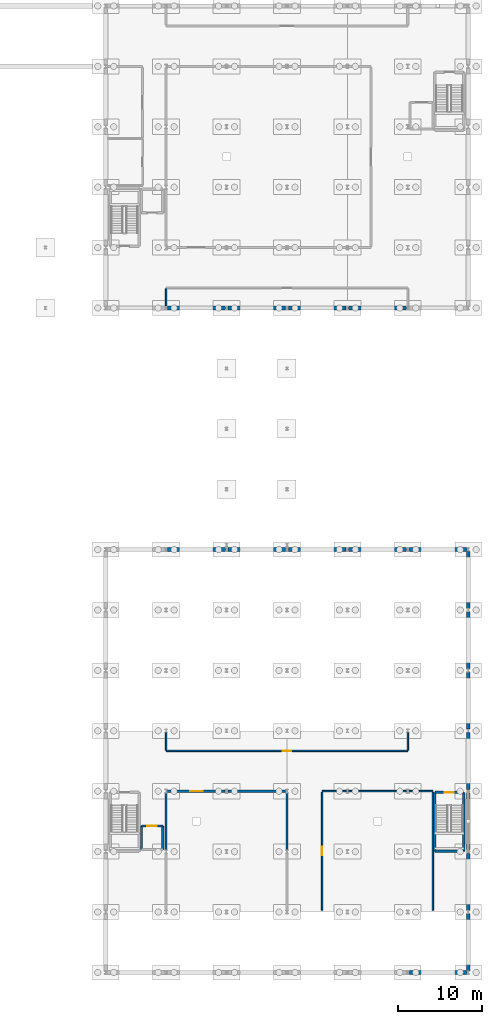
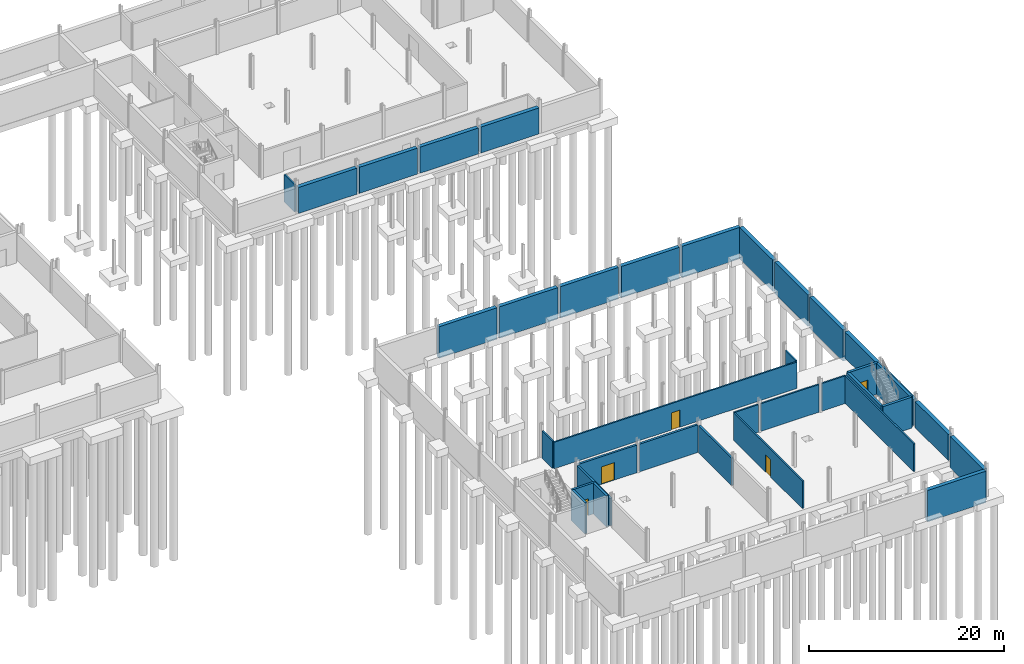
# One storey, part 41 of 50: 37 walls, 5 doors, 5 openings.
"""IFC4 building model written with IfcOpenShell, lengths in metres."""

from ifc_helpers import new_model, si_unit, direction, frame, frame_2d, origin, place, context, subcontext, project, spatial, rectangle, extrude, material, layer, layer_set, type_object, element, fill, save


model = new_model("IFC4")

# Units and contexts
model_context = context("Model", 3, precision=1e-05, world=origin(), true_north=direction((0.0, 1.0)))
body_context = subcontext(model_context, "Body", "Model", "MODEL_VIEW")
ifc_project = project(units=[si_unit("LENGTHUNIT", "METRE"), si_unit("AREAUNIT", "SQUARE_METRE"), si_unit("VOLUMEUNIT", "CUBIC_METRE"), si_unit("PLANEANGLEUNIT", "RADIAN"), si_unit("MASSUNIT", "GRAM", prefix="KILO")], contexts=[model_context])

# Site, building, storey
site_placement = place(None, origin())
site = spatial("IfcSite", under=ifc_project, at=site_placement, CompositionType="ELEMENT")
building_placement = place(site_placement, origin())
building = spatial("IfcBuilding", under=site, at=building_placement, Name="Narikvali Park Central Library", CompositionType="ELEMENT")
storey_placement = place(building_placement, frame((0.0, 0.0, -4.199951171875)))
storey = spatial("IfcBuildingStorey", under=building, at=storey_placement, Name="B1", CompositionType="ELEMENT", Elevation=-4.199951171875)

# Walls
ifc_material_1 = material(Name="Concrete C35/45", Category="concrete")
ifc_layer_1 = layer(ifc_material_1, 0.449951171875, Name="Concrete C35/45")
ifc_layer_set_1 = layer_set([ifc_layer_1], Name="Concrete C35/45")
wall_type_1 = type_object("IfcWallType", Name="Basement Perimeter Retaining Wall 450", PredefinedType="USERDEFINED", material=ifc_layer_set_1)
wall_1_placement = place(storey_placement, frame((129.75390625, 79.199951171875, 0.0), z_axis=(0.0, 0.0, 1.0), x_axis=(1.0, 0.0, 0.0)))
element("IfcWall", 1, at=wall_1_placement, inside=storey, type_object=wall_type_1, Name="V3 B1 Retaining Wall S", ObjectType="RETAINING WALL", PredefinedType="USERDEFINED", context=body_context, shape_type="SweptSolid", body=[
    extrude(rectangle(XDim=6.89208984375, YDim=0.449951171875, at=frame_2d((3.446044921875, 0.0))), origin(), (0.0, 0.0, 1.0), 3.260009765625),
])
for number, where, z_axis, x_axis, name in (
    (2, (136.9541015625, 79.199951171875, 0.0), (0.0, 0.0, 1.0), (1.0, 0.0, 0.0), "V3 B1 Retaining Wall S"),
    (3, (144.154052734375, 79.199951171875, 0.0), (0.0, 0.0, 1.0), (1.0, 0.0, 0.0), "V3 B1 Retaining Wall S"),
):
    element("IfcWall", number, at=place(storey_placement, frame(where, z_axis=z_axis, x_axis=x_axis)), inside=storey, type_object=wall_type_1, Name=name, ObjectType="RETAINING WALL", PredefinedType="USERDEFINED", context=body_context, shape_type="SweptSolid", body=[
        extrude(rectangle(XDim=6.891845703125, YDim=0.449951171875, at=frame_2d((3.44580078125, 0.0))), origin(), (0.0, 0.0, 1.0), 3.260009765625),
    ])
wall_2_placement = place(storey_placement, frame((151.35400390625, 79.199951171875, 0.0), z_axis=(0.0, 0.0, 1.0), x_axis=(1.0, 0.0, 0.0)))
element("IfcWall", 4, at=wall_2_placement, inside=storey, type_object=wall_type_1, Name="V3 B1 Retaining Wall S", ObjectType="RETAINING WALL", PredefinedType="USERDEFINED", context=body_context, shape_type="SweptSolid", body=[
    extrude(rectangle(XDim=6.89208984375, YDim=0.449951171875, at=frame_2d((3.446044921875, 0.0))), origin(), (0.0, 0.0, 1.0), 3.260009765625),
])
wall_3_placement = place(storey_placement, frame((129.75390625, 50.39990234375, -0.679931640625), z_axis=(0.0, 0.0, 1.0), x_axis=(1.0, 0.0, 0.0)))
element("IfcWall", 5, at=wall_3_placement, inside=storey, type_object=wall_type_1, Name="V6 B1 Retaining Wall N", ObjectType="RETAINING WALL", PredefinedType="USERDEFINED", context=body_context, shape_type="SweptSolid", body=[
    extrude(rectangle(XDim=6.89208984375, YDim=0.449951171875, at=frame_2d((3.446044921875, 0.0))), origin(), (0.0, 0.0, 1.0), 3.93994140625),
])
for number, where, z_axis, x_axis, name in (
    (6, (136.9541015625, 50.39990234375, -0.679931640625), (0.0, 0.0, 1.0), (1.0, 0.0, 0.0), "V6 B1 Retaining Wall N"),
    (7, (144.154052734375, 50.39990234375, -0.679931640625), (0.0, 0.0, 1.0), (1.0, 0.0, 0.0), "V6 B1 Retaining Wall N"),
):
    element("IfcWall", number, at=place(storey_placement, frame(where, z_axis=z_axis, x_axis=x_axis)), inside=storey, type_object=wall_type_1, Name=name, ObjectType="RETAINING WALL", PredefinedType="USERDEFINED", context=body_context, shape_type="SweptSolid", body=[
        extrude(rectangle(XDim=6.891845703125, YDim=0.449951171875, at=frame_2d((3.44580078125, 0.0))), origin(), (0.0, 0.0, 1.0), 3.93994140625),
    ])
for number, where, z_axis, x_axis, name in (
    (8, (151.35400390625, 50.39990234375, -0.679931640625), (0.0, 0.0, 1.0), (1.0, 0.0, 0.0), "V6 B1 Retaining Wall N"),
    (9, (158.553955078125, 0.0, -0.679931640625), (0.0, 0.0, 1.0), (1.0, 0.0, 0.0), "V6 B1 Retaining Wall S"),
    (10, (158.553955078125, 50.39990234375, -0.679931640625), (0.0, 0.0, 1.0), (1.0, 0.0, 0.0), "V6 B1 Retaining Wall N"),
):
    element("IfcWall", number, at=place(storey_placement, frame(where, z_axis=z_axis, x_axis=x_axis)), inside=storey, type_object=wall_type_1, Name=name, ObjectType="RETAINING WALL", PredefinedType="USERDEFINED", context=body_context, shape_type="SweptSolid", body=[
        extrude(rectangle(XDim=6.89208984375, YDim=0.449951171875, at=frame_2d((3.446044921875, 0.0))), origin(), (0.0, 0.0, 1.0), 3.93994140625),
    ])
wall_4_placement = place(storey_placement, frame((165.60009765625, 0.197509765625, -0.679931640625), z_axis=(0.0, 0.0, 1.0), x_axis=(0.0, 1.0, 0.0)))
element("IfcWall", 11, at=wall_4_placement, inside=storey, type_object=wall_type_1, Name="V6 B1 Retaining Wall E", ObjectType="RETAINING WALL", PredefinedType="USERDEFINED", context=body_context, shape_type="SweptSolid", body=[
    extrude(rectangle(XDim=6.804931640625, YDim=0.449951171875, at=frame_2d((3.40234375, 0.0))), origin(), (0.0, 0.0, 1.0), 3.93994140625),
])
wall_5_placement = place(storey_placement, frame((165.60009765625, 7.3974609375, 0.0), z_axis=(0.0, 0.0, 1.0), x_axis=(0.0, 1.0, 0.0)))
element("IfcWall", 12, at=wall_5_placement, inside=storey, type_object=wall_type_1, Name="V6 B1 Retaining Wall E", ObjectType="RETAINING WALL", PredefinedType="USERDEFINED", context=body_context, shape_type="SweptSolid", body=[
    extrude(rectangle(XDim=6.804931640625, YDim=0.449951171875, at=frame_2d((3.40234375, 0.0))), origin(), (0.0, 0.0, 1.0), 3.260009765625),
])
wall_6_placement = place(storey_placement, frame((165.60009765625, 14.597412109375, 0.0), z_axis=(0.0, 0.0, 1.0), x_axis=(0.0, 1.0, 0.0)))
element("IfcWall", 13, at=wall_6_placement, inside=storey, type_object=wall_type_1, Name="V6 B1 Retaining Wall E", ObjectType="RETAINING WALL", PredefinedType="USERDEFINED", context=body_context, shape_type="SweptSolid", body=[
    extrude(rectangle(XDim=6.80517578125, YDim=0.449951171875, at=frame_2d((3.402587890625, 0.0))), origin(), (0.0, 0.0, 1.0), 3.260009765625),
])
wall_7_placement = place(storey_placement, frame((165.60009765625, 21.797607421875, 0.0), z_axis=(0.0, 0.0, 1.0), x_axis=(0.0, 1.0, 0.0)))
element("IfcWall", 14, at=wall_7_placement, inside=storey, type_object=wall_type_1, Name="V6 B1 Retaining Wall E", ObjectType="RETAINING WALL", PredefinedType="USERDEFINED", context=body_context, shape_type="SweptSolid", body=[
    extrude(rectangle(XDim=6.804931640625, YDim=0.449951171875, at=frame_2d((3.40234375, 0.0))), origin(), (0.0, 0.0, 1.0), 3.260009765625),
])
for number, where, z_axis, x_axis, name in (
    (15, (165.60009765625, 28.99755859375, -0.679931640625), (0.0, 0.0, 1.0), (0.0, 1.0, 0.0), "V6 B1 Retaining Wall E"),
    (16, (165.60009765625, 36.197509765625, -0.679931640625), (0.0, 0.0, 1.0), (0.0, 1.0, 0.0), "V6 B1 Retaining Wall E"),
    (17, (165.60009765625, 43.3974609375, -0.679931640625), (0.0, 0.0, 1.0), (0.0, 1.0, 0.0), "V6 B1 Retaining Wall E"),
):
    element("IfcWall", number, at=place(storey_placement, frame(where, z_axis=z_axis, x_axis=x_axis)), inside=storey, type_object=wall_type_1, Name=name, ObjectType="RETAINING WALL", PredefinedType="USERDEFINED", context=body_context, shape_type="SweptSolid", body=[
        extrude(rectangle(XDim=6.804931640625, YDim=0.449951171875, at=frame_2d((3.40234375, 0.0))), origin(), (0.0, 0.0, 1.0), 3.93994140625),
    ])

# Wall, opening, door
ifc_material_2 = material(Name="Concrete Blockwork C30/37", Category="masonry")
ifc_layer_2 = layer(ifc_material_2, 0.25, Name="Concrete Blockwork C30/37")
ifc_layer_set_2 = layer_set([ifc_layer_2], Name="Concrete Blockwork C30/37")
wall_type_2 = type_object("IfcWallType", Name="Plant Room Acoustic Fire Wall 250", PredefinedType="SOLIDWALL", material=ifc_layer_set_2)
wall_8_placement = place(storey_placement, frame((129.757568359375, 21.60009765625, 0.0), z_axis=(0.0, 0.0, 1.0), x_axis=(1.0, 0.0, 0.0)))
wall_8 = element("IfcWall", 18, at=wall_8_placement, inside=storey, type_object=wall_type_2, Name="District Heating and Electrical Substation Plant Partition N", PredefinedType="SOLIDWALL", context=body_context, shape_type="SweptSolid", body=[
    extrude(rectangle(XDim=6.885009765625, YDim=0.25, at=frame_2d((3.4423828125, 0.0))), origin(), (0.0, 0.0, 1.0), 3.46484375),
])
opening_1_placement = place(wall_8_placement, frame((2.6923828125, 0.0, 0.0)))
opening_1 = element("IfcOpeningElement", 19, at=opening_1_placement, cuts=wall_8, Name="Opening ID-0143", PredefinedType="OPENING", context=body_context, shape_type="SweptSolid", body=[
    extrude(rectangle(XDim=1.5, YDim=2.199951171875, at=frame_2d((0.75, 1.10009765625))), frame((0.0, 0.136962890625, 0.0), z_axis=(0.0, -1.0, 0.0), x_axis=(1.0, 0.0, 0.0)), (0.0, 0.0, 1.0), 0.27392578125),
])
ifc_material_3 = material(Name="Galvanised Steel S275 Louvred Fire Leaf", Category="steel")
door_type_1 = type_object("IfcDoorType", Name="Plant Room Double Steel Fire Door 1500x2200", OperationType="DOUBLE_DOOR_SINGLE_SWING", PredefinedType="DOOR", material=ifc_material_3)
door_1_placement = place(opening_1_placement, origin())
door_1 = element("IfcDoor", 20, at=door_1_placement, inside=storey, type_object=door_type_1, Name="District Heating and Electrical Substation Plant Door ID-0143", OperationType="DOUBLE_DOOR_SINGLE_SWING", OverallHeight=2.199951171875, OverallWidth=1.5, PredefinedType="DOOR", context=body_context, shape_type="SweptSolid", body=[
    extrude(rectangle(XDim=1.5, YDim=2.199951171875, at=frame_2d((0.75, 1.10009765625))), frame((0.0, 0.02490234375, 0.0), z_axis=(0.0, -1.0, 0.0), x_axis=(1.0, 0.0, 0.0)), (0.0, 0.0, 1.0), 0.050048828125),
])
fill(opening_1, door_1)

# Walls
wall_9_placement = place(storey_placement, frame((136.95751953125, 21.60009765625, 0.0), z_axis=(0.0, 0.0, 1.0), x_axis=(1.0, 0.0, 0.0)))
element("IfcWall", 21, at=wall_9_placement, inside=storey, type_object=wall_type_2, Name="District Heating and Electrical Substation Plant Partition N", PredefinedType="SOLIDWALL", context=body_context, shape_type="SweptSolid", body=[
    extrude(rectangle(XDim=6.885009765625, YDim=0.25, at=frame_2d((3.4423828125, 0.0))), origin(), (0.0, 0.0, 1.0), 3.46484375),
])
for number, where, z_axis, x_axis, name in (
    (22, (129.60009765625, 14.6201171875, 0.0), (0.0, 0.0, 1.0), (0.0, 1.0, 0.0), "District Heating and Electrical Substation Plant Partition W"),
    (23, (144.0, 14.6201171875, 0.0), (0.0, 0.0, 1.0), (0.0, 1.0, 0.0), "District Heating and Electrical Substation Plant Partition E"),
):
    element("IfcWall", number, at=place(storey_placement, frame(where, z_axis=z_axis, x_axis=x_axis)), inside=storey, type_object=wall_type_2, Name=name, PredefinedType="SOLIDWALL", context=body_context, shape_type="SweptSolid", body=[
        extrude(rectangle(XDim=6.759765625, YDim=0.25, at=frame_2d((3.3798828125, 0.0))), origin(), (0.0, 0.0, 1.0), 3.425048828125),
    ])
ifc_material_4 = material(Name="Acoustic Gypsum on Steel Studs", Category="steel")
ifc_layer_3 = layer(ifc_material_4, 0.179931640625, Name="Acoustic Gypsum on Steel Studs")
ifc_layer_set_3 = layer_set([ifc_layer_3], Name="Acoustic Gypsum on Steel Studs")
wall_type_3 = type_object("IfcWallType", Name="Reading Room Acoustic Partition 180", PredefinedType="PARTITIONING", material=ifc_layer_set_3)
wall_10_placement = place(storey_placement, frame((148.199951171875, 21.60009765625, 0.0), z_axis=(0.0, 0.0, 1.0), x_axis=(1.0, 0.0, 0.0)))
element("IfcWall", 24, at=wall_10_placement, inside=storey, type_object=wall_type_3, Name="Staff and Public Bicycle Room Partition N", PredefinedType="PARTITIONING", context=body_context, shape_type="SweptSolid", body=[
    extrude(rectangle(XDim=2.842529296875, YDim=0.179931640625, at=frame_2d((1.42138671875, 0.0))), origin(), (0.0, 0.0, 1.0), 3.46484375),
])
wall_11_placement = place(storey_placement, frame((151.357421875, 21.60009765625, 0.0), z_axis=(0.0, 0.0, 1.0), x_axis=(1.0, 0.0, 0.0)))
element("IfcWall", 25, at=wall_11_placement, inside=storey, type_object=wall_type_3, Name="Staff and Public Bicycle Room Partition N", PredefinedType="PARTITIONING", context=body_context, shape_type="SweptSolid", body=[
    extrude(rectangle(XDim=6.885009765625, YDim=0.179931640625, at=frame_2d((3.4423828125, 0.0))), origin(), (0.0, 0.0, 1.0), 3.46484375),
])
wall_12_placement = place(storey_placement, frame((158.5576171875, 21.60009765625, 0.0), z_axis=(0.0, 0.0, 1.0), x_axis=(1.0, 0.0, 0.0)))
element("IfcWall", 26, at=wall_12_placement, inside=storey, type_object=wall_type_3, Name="Staff and Public Bicycle Room Partition N", PredefinedType="PARTITIONING", context=body_context, shape_type="SweptSolid", body=[
    extrude(rectangle(XDim=2.84228515625, YDim=0.179931640625, at=frame_2d((1.421142578125, 0.0))), origin(), (0.0, 0.0, 1.0), 3.46484375),
])

# Wall, opening, door
wall_13_placement = place(storey_placement, frame((129.60009765625, 26.39990234375, 0.0), z_axis=(0.0, 0.0, 1.0), x_axis=(1.0, 0.0, 0.0)))
wall_13 = element("IfcWall", 27, at=wall_13_placement, inside=storey, type_object=wall_type_3, Name="Facility Maintenance Supply Room Partition S", PredefinedType="PARTITIONING", context=body_context, shape_type="SweptSolid", body=[
    extrude(rectangle(XDim=28.7998046875, YDim=0.179931640625, at=frame_2d((14.39990234375, 0.0))), origin(), (0.0, 0.0, 1.0), 3.31494140625),
])
opening_2_placement = place(wall_13_placement, frame((13.89990234375, 0.0, 0.0)))
opening_2 = element("IfcOpeningElement", 28, at=opening_2_placement, cuts=wall_13, Name="Opening ID-0144", PredefinedType="OPENING", context=body_context, shape_type="SweptSolid", body=[
    extrude(rectangle(XDim=1.0, YDim=2.14990234375, at=frame_2d((0.5, 1.074951171875))), frame((0.0, 0.10205078125, 0.0), z_axis=(0.0, -1.0, 0.0), x_axis=(1.0, 0.0, 0.0)), (0.0, 0.0, 1.0), 0.203857421875),
])
ifc_material_5 = material(Name="Solid Caucasian Oak")
door_type_2 = type_object("IfcDoorType", Name="Study Room Single Oak Door 1000x2150", OperationType="SINGLE_SWING_LEFT", PredefinedType="DOOR", material=ifc_material_5)
door_2_placement = place(opening_2_placement, origin())
door_2 = element("IfcDoor", 29, at=door_2_placement, inside=storey, type_object=door_type_2, Name="Facility Maintenance Supply Room Door ID-0144", OperationType="SINGLE_SWING_RIGHT", OverallHeight=2.14990234375, OverallWidth=1.0, PredefinedType="DOOR", context=body_context, shape_type="SweptSolid", body=[
    extrude(rectangle(XDim=1.0, YDim=2.14990234375, at=frame_2d((0.5, 1.074951171875))), frame((0.0, 0.02490234375, 0.0), z_axis=(0.0, -1.0, 0.0), x_axis=(1.0, 0.0, 0.0)), (0.0, 0.0, 1.0), 0.050048828125),
])
fill(opening_2, door_2)

# Wall
wall_14_placement = place(storey_placement, frame((129.60009765625, 79.425048828125, 0.0), z_axis=(0.0, 0.0, 1.0), x_axis=(0.0, 1.0, 0.0)))
element("IfcWall", 30, at=wall_14_placement, inside=storey, type_object=wall_type_3, Name="Stage House Chair and Rigging Store Partition W", PredefinedType="PARTITIONING", context=body_context, shape_type="SweptSolid", body=[
    extrude(rectangle(XDim=2.0830078125, YDim=0.179931640625, at=frame_2d((1.04150390625, 0.0))), origin(), (0.0, 0.0, 1.0), 3.425048828125),
])

# Wall, opening, door
wall_15_placement = place(storey_placement, frame((148.199951171875, 7.425048828125, 0.0), z_axis=(0.0, 0.0, 1.0), x_axis=(0.0, 1.0, 0.0)))
wall_15 = element("IfcWall", 31, at=wall_15_placement, inside=storey, type_object=wall_type_3, Name="Staff and Public Bicycle Room Partition W", PredefinedType="PARTITIONING", context=body_context, shape_type="SweptSolid", body=[
    extrude(rectangle(XDim=14.0830078125, YDim=0.179931640625, at=frame_2d((7.04150390625, 0.0))), origin(), (0.0, 0.0, 1.0), 3.46484375),
])
opening_3_placement = place(wall_15_placement, frame((6.54150390625, 0.0, 0.0)))
opening_3 = element("IfcOpeningElement", 32, at=opening_3_placement, cuts=wall_15, Name="Opening ID-0142", PredefinedType="OPENING", context=body_context, shape_type="SweptSolid", body=[
    extrude(rectangle(XDim=1.0, YDim=2.14990234375, at=frame_2d((0.5, 1.074951171875))), frame((0.0, 0.10205078125, 0.0), z_axis=(0.0, -1.0, 0.0), x_axis=(1.0, 0.0, 0.0)), (0.0, 0.0, 1.0), 0.203857421875),
])
door_3_placement = place(opening_3_placement, frame((1.0, 0.0, 0.0), z_axis=(0.0, 0.0, 1.0), x_axis=(-1.0, 0.0, 0.0)))
door_3 = element("IfcDoor", 33, at=door_3_placement, inside=storey, type_object=door_type_2, Name="Staff and Public Bicycle Room Door ID-0142", OperationType="SINGLE_SWING_RIGHT", OverallHeight=2.14990234375, OverallWidth=1.0, PredefinedType="DOOR", context=body_context, shape_type="SweptSolid", body=[
    extrude(rectangle(XDim=1.0, YDim=2.14990234375, at=frame_2d((0.5, 1.074951171875))), frame((0.0, 0.02490234375, 0.0), z_axis=(0.0, -1.0, 0.0), x_axis=(1.0, 0.0, 0.0)), (0.0, 0.0, 1.0), 0.050048828125),
])
fill(opening_3, door_3)

# Walls
wall_16_placement = place(storey_placement, frame((161.39990234375, 7.425048828125, 0.0), z_axis=(0.0, 0.0, 1.0), x_axis=(0.0, 1.0, 0.0)))
element("IfcWall", 34, at=wall_16_placement, inside=storey, type_object=wall_type_3, Name="Staff and Public Bicycle Room Partition E", PredefinedType="PARTITIONING", context=body_context, shape_type="SweptSolid", body=[
    extrude(rectangle(XDim=14.0830078125, YDim=0.179931640625, at=frame_2d((7.04150390625, 0.0))), origin(), (0.0, 0.0, 1.0), 3.46484375),
])
for number, where, z_axis, x_axis, name in (
    (35, (129.60009765625, 26.491943359375, 0.0), (0.0, 0.0, 1.0), (0.0, 1.0, 0.0), "Facility Maintenance Supply Room Partition W"),
    (36, (158.39990234375, 26.491943359375, 0.0), (0.0, 0.0, 1.0), (0.0, 1.0, 0.0), "Facility Maintenance Supply Room Partition E"),
):
    element("IfcWall", number, at=place(storey_placement, frame(where, z_axis=z_axis, x_axis=x_axis)), inside=storey, type_object=wall_type_3, Name=name, PredefinedType="PARTITIONING", context=body_context, shape_type="SweptSolid", body=[
        extrude(rectangle(XDim=2.0830078125, YDim=0.179931640625, at=frame_2d((1.04150390625, 0.0))), origin(), (0.0, 0.0, 1.0), 3.425048828125),
    ])
ifc_material_6 = material(Name="Concrete C40/50", Category="concrete")
ifc_layer_4 = layer(ifc_material_6, 0.25, Name="Concrete C40/50")
ifc_layer_set_4 = layer_set([ifc_layer_4], Name="Concrete C40/50")
wall_type_4 = type_object("IfcWallType", Name="Reinforced Concrete Lift Shaft Wall 250", PredefinedType="SHEAR", material=ifc_layer_set_4)
wall_17_placement = place(storey_placement, frame((129.199951171875, 14.64990234375, 0.0), z_axis=(0.0, 0.0, 1.0), x_axis=(0.0, 1.0, 0.0)))
element("IfcWall", 37, at=wall_17_placement, inside=storey, type_object=wall_type_4, Name="L-07 B1 Lift Shaft Wall E", PredefinedType="SHEAR", context=body_context, shape_type="SweptSolid", body=[
    extrude(rectangle(XDim=2.800048828125, YDim=0.25, at=frame_2d((1.39990234375, 0.0))), origin(), (0.0, 0.0, 1.0), 3.8798828125),
])

# Wall, opening, door
wall_18_placement = place(storey_placement, frame((129.199951171875, 17.449951171875, 0.0), z_axis=(0.0, 0.0, 1.0), x_axis=(-1.0, 0.0, 0.0)))
wall_18 = element("IfcWall", 38, at=wall_18_placement, inside=storey, type_object=wall_type_4, Name="L-07 B1 Lift Shaft Wall N", PredefinedType="SHEAR", context=body_context, shape_type="SweptSolid", body=[
    extrude(rectangle(XDim=2.550048828125, YDim=0.25, at=frame_2d((1.27490234375, 0.0))), origin(), (0.0, 0.0, 1.0), 3.8798828125),
])
opening_4_placement = place(wall_18_placement, frame((0.72509765625, 0.0, 0.0)))
opening_4 = element("IfcOpeningElement", 39, at=opening_4_placement, cuts=wall_18, Name="Opening LD-048", PredefinedType="OPENING", context=body_context, shape_type="SweptSolid", body=[
    extrude(rectangle(XDim=1.10009765625, YDim=2.10009765625, at=frame_2d((0.550048828125, 1.050048828125))), frame((0.0, 0.136962890625, 0.0), z_axis=(0.0, -1.0, 0.0), x_axis=(1.0, 0.0, 0.0)), (0.0, 0.0, 1.0), 0.27392578125),
])
ifc_material_7 = material(Name="Brushed Stainless Steel S355", Category="steel")
door_type_3 = type_object("IfcDoorType", Name="Passenger Lift Sliding Landing Door 1100x2100", OperationType="SLIDING_TO_LEFT", PredefinedType="DOOR", material=ifc_material_7)
door_4_placement = place(opening_4_placement, origin())
door_4 = element("IfcDoor", 40, at=door_4_placement, inside=storey, type_object=door_type_3, Name="L-07 B1 Lift Landing Sliding Door LD-048", OperationType="SLIDING_TO_LEFT", OverallHeight=2.10009765625, OverallWidth=1.10009765625, PredefinedType="DOOR", context=body_context, shape_type="SweptSolid", body=[
    extrude(rectangle(XDim=1.10009765625, YDim=2.10009765625, at=frame_2d((0.550048828125, 1.050048828125))), frame((0.0, 0.02490234375, 0.0), z_axis=(0.0, -1.0, 0.0), x_axis=(1.0, 0.0, 0.0)), (0.0, 0.0, 1.0), 0.050048828125),
])
fill(opening_4, door_4)

# Walls
wall_19_placement = place(storey_placement, frame((126.64990234375, 17.449951171875, 0.0), z_axis=(0.0, 0.0, 1.0), x_axis=(0.0, -1.0, 0.0)))
element("IfcWall", 41, at=wall_19_placement, inside=storey, type_object=wall_type_4, Name="L-07 B1 Lift Shaft Wall W", PredefinedType="SHEAR", context=body_context, shape_type="SweptSolid", body=[
    extrude(rectangle(XDim=2.800048828125, YDim=0.25, at=frame_2d((1.39990234375, 0.0))), origin(), (0.0, 0.0, 1.0), 3.8798828125),
])
ifc_layer_5 = layer(ifc_material_6, 0.300048828125, Name="Concrete C40/50")
ifc_layer_set_5 = layer_set([ifc_layer_5], Name="Concrete C40/50")
wall_type_5 = type_object("IfcWallType", Name="Reinforced Concrete Shear Wall 300", PredefinedType="SHEAR", material=ifc_layer_set_5)
wall_20_placement = place(storey_placement, frame((161.6298828125, 14.429931640625, 0.0), z_axis=(0.0, 0.0, 1.0), x_axis=(1.0, 0.0, 0.0)))
element("IfcWall", 42, at=wall_20_placement, inside=storey, type_object=wall_type_5, Name="C6B B1 Stair Core Shear Wall S", PredefinedType="SHEAR", context=body_context, shape_type="SweptSolid", body=[
    extrude(rectangle(XDim=3.440185546875, YDim=0.300048828125, at=frame_2d((1.72021484375, 0.0))), origin(), (0.0, 0.0, 1.0), 3.8798828125),
])
wall_21_placement = place(storey_placement, frame((165.070068359375, 14.429931640625, 0.0), z_axis=(0.0, 0.0, 1.0), x_axis=(0.0, 1.0, 0.0)))
element("IfcWall", 43, at=wall_21_placement, inside=storey, type_object=wall_type_5, Name="C6B B1 Stair Core Shear Wall E", PredefinedType="SHEAR", context=body_context, shape_type="SweptSolid", body=[
    extrude(rectangle(XDim=7.0400390625, YDim=0.300048828125, at=frame_2d((3.52001953125, 0.0))), origin(), (0.0, 0.0, 1.0), 3.8798828125),
])

# Wall, opening, door
wall_22_placement = place(storey_placement, frame((165.070068359375, 21.469970703125, 0.0), z_axis=(0.0, 0.0, 1.0), x_axis=(-1.0, 0.0, 0.0)))
wall_22 = element("IfcWall", 44, at=wall_22_placement, inside=storey, type_object=wall_type_5, Name="C6B B1 Stair Core Shear Wall N", PredefinedType="SHEAR", context=body_context, shape_type="SweptSolid", body=[
    extrude(rectangle(XDim=3.440185546875, YDim=0.300048828125, at=frame_2d((1.72021484375, 0.0))), origin(), (0.0, 0.0, 1.0), 3.8798828125),
])
opening_5_placement = place(wall_22_placement, frame((1.169921875, 0.0, 0.0)))
opening_5 = element("IfcOpeningElement", 45, at=opening_5_placement, cuts=wall_22, Name="Opening SD-062", PredefinedType="OPENING", context=body_context, shape_type="SweptSolid", body=[
    extrude(rectangle(XDim=1.10009765625, YDim=2.14990234375, at=frame_2d((0.550048828125, 1.074951171875))), frame((0.0, 0.162109375, 0.0), z_axis=(0.0, -1.0, 0.0), x_axis=(1.0, 0.0, 0.0)), (0.0, 0.0, 1.0), 0.323974609375),
])
ifc_material_8 = material(Name="Powder-Coated Steel S275 Fire Leaf", Category="steel")
door_type_4 = type_object("IfcDoorType", Name="Stair Core Smoke-Control Fire Door 1100x2150", OperationType="SINGLE_SWING_LEFT", PredefinedType="DOOR", material=ifc_material_8)
door_5_placement = place(opening_5_placement, frame((1.10009765625, 0.0, 0.0), z_axis=(0.0, 0.0, 1.0), x_axis=(-1.0, 0.0, 0.0)))
door_5 = element("IfcDoor", 46, at=door_5_placement, inside=storey, type_object=door_type_4, Name="ST-12 B1 Stair Exit Door SD-062", OperationType="SINGLE_SWING_RIGHT", OverallHeight=2.14990234375, OverallWidth=1.10009765625, PredefinedType="DOOR", context=body_context, shape_type="SweptSolid", body=[
    extrude(rectangle(XDim=1.10009765625, YDim=2.14990234375, at=frame_2d((0.550048828125, 1.074951171875))), frame((0.0, 0.02490234375, 0.0), z_axis=(0.0, -1.0, 0.0), x_axis=(1.0, 0.0, 0.0)), (0.0, 0.0, 1.0), 0.050048828125),
])
fill(opening_5, door_5)

# Wall
wall_23_placement = place(storey_placement, frame((161.6298828125, 21.469970703125, 0.0), z_axis=(0.0, 0.0, 1.0), x_axis=(0.0, -1.0, 0.0)))
element("IfcWall", 47, at=wall_23_placement, inside=storey, type_object=wall_type_5, Name="C6B B1 Stair Core Shear Wall W", PredefinedType="SHEAR", context=body_context, shape_type="SweptSolid", body=[
    extrude(rectangle(XDim=7.0400390625, YDim=0.300048828125, at=frame_2d((3.52001953125, 0.0))), origin(), (0.0, 0.0, 1.0), 3.8798828125),
])

save(model, "model.ifc")
